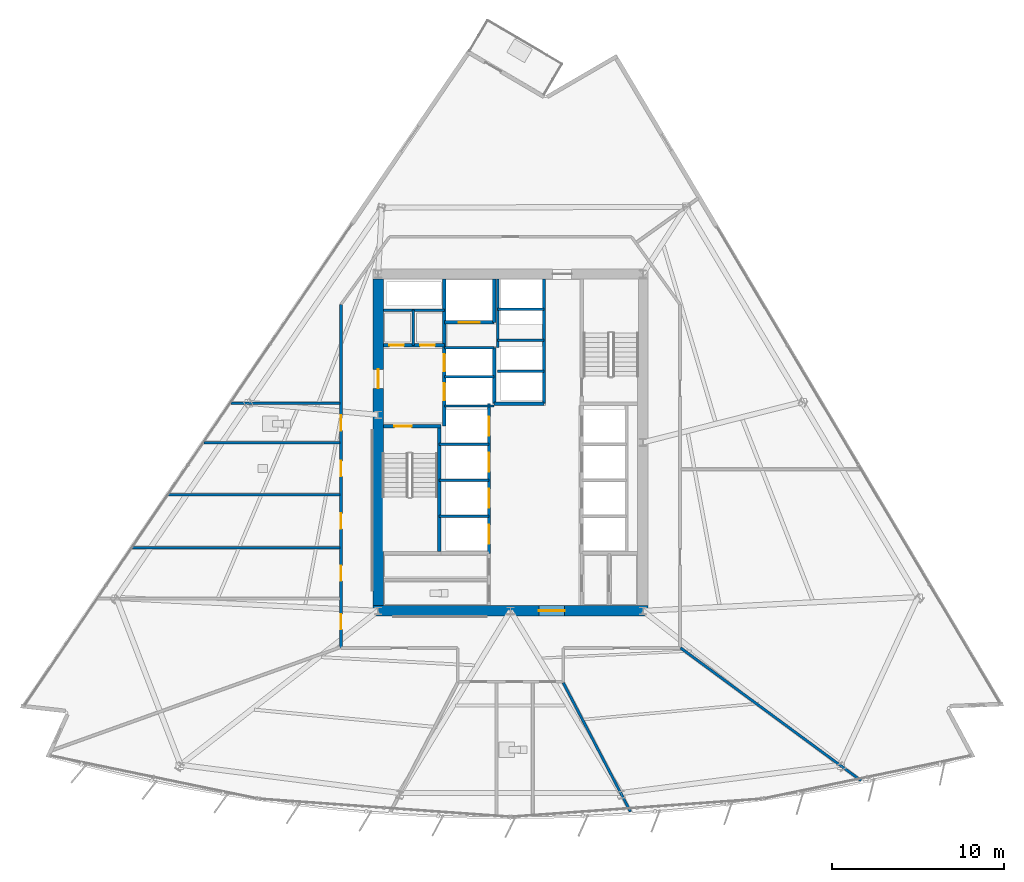
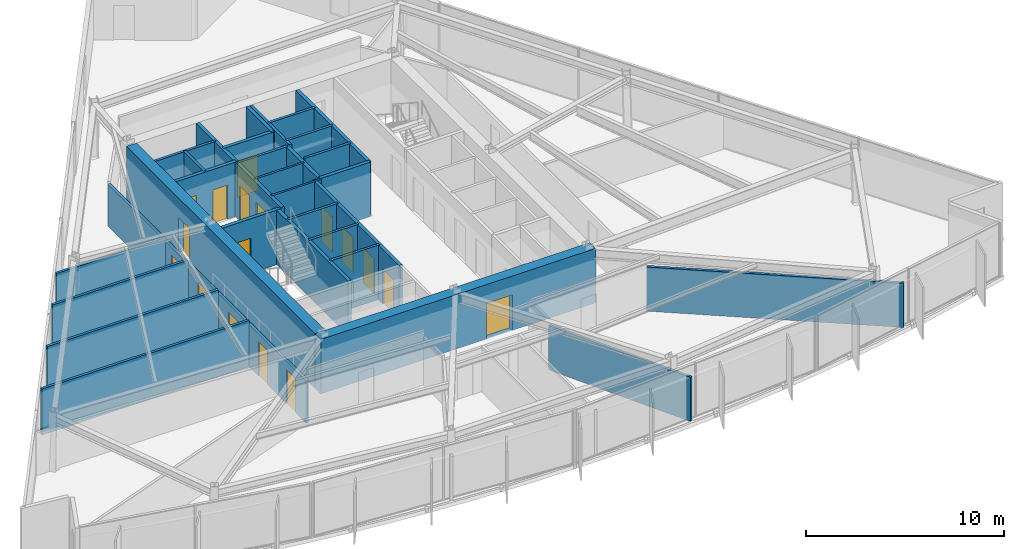
# One storey, part 8 of 15: 31 walls, 17 doors, 17 openings.
"""IFC4 building model written with IfcOpenShell, lengths in metres."""

from ifc_helpers import new_model, si_unit, direction, frame, frame_2d, origin, place, context, subcontext, project, spatial, rectangle, extrude, material, layer, layer_set, type_object, element, fill, save


model = new_model("IFC4")

# Units and contexts
model_context = context("Model", 3, precision=1e-05, world=origin(), true_north=direction((0.0, 1.0)))
body_context = subcontext(model_context, "Body", "Model", "MODEL_VIEW")
ifc_project = project(units=[si_unit("LENGTHUNIT", "METRE"), si_unit("AREAUNIT", "SQUARE_METRE"), si_unit("VOLUMEUNIT", "CUBIC_METRE"), si_unit("PLANEANGLEUNIT", "RADIAN"), si_unit("MASSUNIT", "GRAM", prefix="KILO")], contexts=[model_context])

# Site, building, storey
site_placement = place(None, origin())
site = spatial("IfcSite", under=ifc_project, at=site_placement, CompositionType="ELEMENT")
building_placement = place(site_placement, origin())
building = spatial("IfcBuilding", under=site, at=building_placement, Name="Savorim Split Tower", CompositionType="ELEMENT")
storey_placement = place(building_placement, frame((0.0, 0.0, 82.5)))
storey = spatial("IfcBuildingStorey", under=building, at=storey_placement, Name="L21", CompositionType="ELEMENT", Elevation=82.5)

# Wall, opening, door
ifc_material_1 = material(Name="Concrete C60/75", Category="concrete")
ifc_layer_1 = layer(ifc_material_1, 0.60009765625)
ifc_layer_set_1 = layer_set([ifc_layer_1], Name="WAL-COR-SH600")
wall_type_1 = type_object("IfcWallType", Name="WAL-COR-SH600", PredefinedType="SHEAR", material=ifc_layer_set_1)
wall_1_placement = place(storey_placement, frame((-8.0, -9.39990234375, 0.0), z_axis=(0.0, 0.0, 1.0), x_axis=(1.0, 0.0, 0.0)))
wall_1 = element("IfcWall", 1, at=wall_1_placement, inside=storey, type_object=wall_type_1, Name="L21 Offset Core South Shear Wall", PredefinedType="SHEAR", context=body_context, shape_type="SweptSolid", body=[
    extrude(rectangle(XDim=16.0, YDim=0.60009765625, at=frame_2d((8.0, 0.0))), origin(), (0.0, 0.0, 1.0), 3.35009765625),
])
opening_1_placement = place(wall_1_placement, frame((9.64990234375, 0.0, 0.0)))
opening_1 = element("IfcOpeningElement", 2, at=opening_1_placement, cuts=wall_1, Name="Opening DI-02", PredefinedType="OPENING", context=body_context, shape_type="SweptSolid", body=[
    extrude(rectangle(XDim=1.5, YDim=2.199951171875, at=frame_2d((0.75, 1.10009765625))), frame((0.0, 0.31005859375, 0.0), z_axis=(0.0, -1.0, 0.0), x_axis=(1.0, 0.0, 0.0)), (0.0, 0.0, 1.0), 0.6201171875),
])
ifc_material_2 = material(Name="Timber Fire Door Leaf", Category="wood")
door_type_1 = type_object("IfcDoorType", Name="DOR-DBL-1500", OperationType="NOTDEFINED", PredefinedType="DOOR", material=ifc_material_2)
door_1_placement = place(opening_1_placement, origin())
door_1 = element("IfcDoor", 3, at=door_1_placement, inside=storey, type_object=door_type_1, Name="DOR-L21-COR-LLOB - L21 Lift Lobby Main Rated Door", OperationType="DOUBLE_DOOR_SINGLE_SWING", OverallHeight=2.199951171875, OverallWidth=1.5, PredefinedType="DOOR", context=body_context, shape_type="SweptSolid", body=[
    extrude(rectangle(XDim=1.5, YDim=2.199951171875, at=frame_2d((0.75, 1.10009765625))), frame((0.0, 0.02490234375, 0.0), z_axis=(0.0, -1.0, 0.0), x_axis=(1.0, 0.0, 0.0)), (0.0, 0.0, 1.0), 0.050048828125),
])
fill(opening_1, door_1)

wall_2_placement = place(storey_placement, frame((-7.699951171875, -9.10009765625, 0.0), z_axis=(0.0, 0.0, 1.0), x_axis=(0.0, 1.0, 0.0)))
wall_2 = element("IfcWall", 4, at=wall_2_placement, inside=storey, type_object=wall_type_1, Name="L21 Offset Core West Shear Wall", PredefinedType="SHEAR", context=body_context, shape_type="SweptSolid", body=[
    extrude(rectangle(XDim=19.0, YDim=0.60009765625, at=frame_2d((9.5, 0.0))), origin(), (0.0, 0.0, 1.0), 3.35009765625),
])
opening_2_placement = place(wall_2_placement, frame((12.64990234375, 0.0, 0.0)))
opening_2 = element("IfcOpeningElement", 5, at=opening_2_placement, cuts=wall_2, Name="Opening DI-03", PredefinedType="OPENING", context=body_context, shape_type="SweptSolid", body=[
    extrude(rectangle(XDim=1.10009765625, YDim=2.14990234375, at=frame_2d((0.550048828125, 1.074951171875))), frame((0.0, 0.31005859375, 0.0), z_axis=(0.0, -1.0, 0.0), x_axis=(1.0, 0.0, 0.0)), (0.0, 0.0, 1.0), 0.6201171875),
])
door_type_2 = type_object("IfcDoorType", Name="DOR-FIR-1100", OperationType="NOTDEFINED", PredefinedType="DOOR", material=ifc_material_2)
door_2_placement = place(opening_2_placement, origin())
door_2 = element("IfcDoor", 6, at=door_2_placement, inside=storey, type_object=door_type_2, Name="DOR-L21-COR-FFLOB - L21 Firefighting Lobby Corridor Door", OperationType="SINGLE_SWING_LEFT", OverallHeight=2.14990234375, OverallWidth=1.10009765625, PredefinedType="DOOR", context=body_context, shape_type="SweptSolid", body=[
    extrude(rectangle(XDim=1.10009765625, YDim=2.14990234375, at=frame_2d((0.550048828125, 1.074951171875))), frame((0.0, 0.02490234375, 0.0), z_axis=(0.0, -1.0, 0.0), x_axis=(1.0, 0.0, 0.0)), (0.0, 0.0, 1.0), 0.050048828125),
])
fill(opening_2, door_2)

ifc_material_3 = material(Name="Concrete C50/60", Category="concrete")
ifc_layer_2 = layer(ifc_material_3, 0.199951171875)
ifc_layer_set_2 = layer_set([ifc_layer_2], Name="WAL-INT-RC200")
wall_type_2 = type_object("IfcWallType", Name="WAL-INT-RC200", PredefinedType="SOLIDWALL", material=ifc_layer_set_2)
wall_3_placement = place(storey_placement, frame((-7.39990234375, 1.35009765625, 0.0), z_axis=(0.0, 0.0, 1.0), x_axis=(1.0, 0.0, 0.0)))
wall_3 = element("IfcWall", 7, at=wall_3_placement, inside=storey, type_object=wall_type_2, Name="L21 Structural Shaft Wall W-L21-CR01", PredefinedType="SOLIDWALL", context=body_context, shape_type="SweptSolid", body=[
    extrude(rectangle(XDim=3.349853515625, YDim=0.199951171875, at=frame_2d((1.6748046875, 0.0))), origin(), (0.0, 0.0, 1.0), 3.35009765625),
])
opening_3_placement = place(wall_3_placement, frame((0.64990234375, 0.0, 0.0)))
opening_3 = element("IfcOpeningElement", 8, at=opening_3_placement, cuts=wall_3, Name="Opening DI-04", PredefinedType="OPENING", context=body_context, shape_type="SweptSolid", body=[
    extrude(rectangle(XDim=1.0, YDim=2.14990234375, at=frame_2d((0.5, 1.074951171875))), frame((0.0, 0.10986328125, 0.0), z_axis=(0.0, -1.0, 0.0), x_axis=(1.0, 0.0, 0.0)), (0.0, 0.0, 1.0), 0.219970703125),
])
door_type_3 = type_object("IfcDoorType", Name="DOR-FIR-1000", OperationType="NOTDEFINED", PredefinedType="DOOR", material=ifc_material_2)
door_3_placement = place(opening_3_placement, origin())
door_3 = element("IfcDoor", 9, at=door_3_placement, inside=storey, type_object=door_type_3, Name="DR-L21-ST1 - L21 Stair ST-1 Enclosure Door", OperationType="SINGLE_SWING_LEFT", OverallHeight=2.14990234375, OverallWidth=1.0, PredefinedType="DOOR", context=body_context, shape_type="SweptSolid", body=[
    extrude(rectangle(XDim=1.0, YDim=2.14990234375, at=frame_2d((0.5, 1.074951171875))), frame((0.0, 0.02490234375, 0.0), z_axis=(0.0, -1.0, 0.0), x_axis=(1.0, 0.0, 0.0)), (0.0, 0.0, 1.0), 0.050048828125),
])
fill(opening_3, door_3)

# Wall
wall_4_placement = place(storey_placement, frame((-4.14990234375, -5.949951171875, 0.0), z_axis=(0.0, 0.0, 1.0), x_axis=(0.0, 1.0, 0.0)))
element("IfcWall", 10, at=wall_4_placement, inside=storey, type_object=wall_type_2, Name="L21 Structural Shaft Wall W-L21-CR02", PredefinedType="SOLIDWALL", context=body_context, shape_type="SweptSolid", body=[
    extrude(rectangle(XDim=7.199951171875, YDim=0.199951171875, at=frame_2d((3.60009765625, 0.0))), origin(), (0.0, 0.0, 1.0), 3.35009765625),
])

# Wall, openings, doors
wall_5_placement = place(storey_placement, frame((-3.85009765625, 1.35009765625, 0.0), z_axis=(0.0, 0.0, 1.0), x_axis=(0.0, 1.0, 0.0)))
wall_5 = element("IfcWall", 11, at=wall_5_placement, inside=storey, type_object=wall_type_2, Name="L21 Partition W-L21-CR03", PredefinedType="SOLIDWALL", context=body_context, shape_type="SweptSolid", body=[
    extrude(rectangle(XDim=8.544921875, YDim=0.199951171875, at=frame_2d((4.2724609375, 0.0))), origin(), (0.0, 0.0, 1.0), 3.35009765625),
])
opening_4_placement = place(wall_5_placement, frame((1.5, 0.0, 0.0)))
opening_4 = element("IfcOpeningElement", 12, at=opening_4_placement, cuts=wall_5, Name="Opening LD-FFL", PredefinedType="OPENING", context=body_context, shape_type="SweptSolid", body=[
    extrude(rectangle(XDim=1.0, YDim=2.14990234375, at=frame_2d((0.5, 1.074951171875))), frame((0.0, 0.10986328125, 0.0), z_axis=(0.0, -1.0, 0.0), x_axis=(1.0, 0.0, 0.0)), (0.0, 0.0, 1.0), 0.219970703125),
])
opening_5_placement = place(wall_5_placement, frame((3.179931640625, 0.0, 0.0)))
opening_5 = element("IfcOpeningElement", 13, at=opening_5_placement, cuts=wall_5, Name="Opening LD-FFL", PredefinedType="OPENING", context=body_context, shape_type="SweptSolid", body=[
    extrude(rectangle(XDim=1.0, YDim=2.14990234375, at=frame_2d((0.5, 1.074951171875))), frame((0.0, 0.10986328125, 0.0), z_axis=(0.0, -1.0, 0.0), x_axis=(1.0, 0.0, 0.0)), (0.0, 0.0, 1.0), 0.219970703125),
])
ifc_material_4 = material(Name="Charcoal Anodised Aluminium", Category="aluminium")
door_type_4 = type_object("IfcDoorType", Name="DOR-SLD-LD1000", OperationType="NOTDEFINED", PredefinedType="DOOR", material=ifc_material_4)
door_4_placement = place(opening_4_placement, origin())
door_4 = element("IfcDoor", 14, at=door_4_placement, inside=storey, type_object=door_type_4, Name="DR-L21-LD-FFL1 - L21 Firefighting Lift FFL-1 Sliding Landing Door", OperationType="DOUBLE_DOOR_SLIDING", OverallHeight=2.14990234375, OverallWidth=1.0, PredefinedType="DOOR", context=body_context, shape_type="SweptSolid", body=[
    extrude(rectangle(XDim=1.0, YDim=2.14990234375, at=frame_2d((0.5, 1.074951171875))), frame((0.0, 0.02490234375, 0.0), z_axis=(0.0, -1.0, 0.0), x_axis=(1.0, 0.0, 0.0)), (0.0, 0.0, 1.0), 0.050048828125),
])
fill(opening_4, door_4)
door_5_placement = place(opening_5_placement, origin())
door_5 = element("IfcDoor", 15, at=door_5_placement, inside=storey, type_object=door_type_4, Name="DR-L21-LD-FFL2 - L21 Firefighting Lift FFL-2 Sliding Landing Door", OperationType="DOUBLE_DOOR_SLIDING", OverallHeight=2.14990234375, OverallWidth=1.0, PredefinedType="DOOR", context=body_context, shape_type="SweptSolid", body=[
    extrude(rectangle(XDim=1.0, YDim=2.14990234375, at=frame_2d((0.5, 1.074951171875))), frame((0.0, 0.02490234375, 0.0), z_axis=(0.0, -1.0, 0.0), x_axis=(1.0, 0.0, 0.0)), (0.0, 0.0, 1.0), 0.050048828125),
])
fill(opening_5, door_5)

wall_6_placement = place(storey_placement, frame((-7.39501953125, 6.050048828125, 0.0), z_axis=(0.0, 0.0, 1.0), x_axis=(1.0, 0.0, 0.0)))
wall_6 = element("IfcWall", 16, at=wall_6_placement, inside=storey, type_object=wall_type_2, Name="L21 Partition W-L21-CR04", PredefinedType="SOLIDWALL", context=body_context, shape_type="SweptSolid", body=[
    extrude(rectangle(XDim=3.544921875, YDim=0.199951171875, at=frame_2d((1.7724609375, 0.0))), origin(), (0.0, 0.0, 1.0), 3.35009765625),
])
opening_6_placement = place(wall_6_placement, frame((0.344970703125, 0.0, 0.0)))
opening_6 = element("IfcOpeningElement", 17, at=opening_6_placement, cuts=wall_6, Name="Opening DI-12", PredefinedType="OPENING", context=body_context, shape_type="SweptSolid", body=[
    extrude(rectangle(XDim=0.85009765625, YDim=2.10009765625, at=frame_2d((0.425048828125, 1.050048828125))), frame((0.0, 0.10986328125, 0.0), z_axis=(0.0, -1.0, 0.0), x_axis=(1.0, 0.0, 0.0)), (0.0, 0.0, 1.0), 0.219970703125),
])
opening_7_placement = place(wall_6_placement, frame((2.14501953125, 0.0, 0.0)))
opening_7 = element("IfcOpeningElement", 18, at=opening_7_placement, cuts=wall_6, Name="Opening DI-12", PredefinedType="OPENING", context=body_context, shape_type="SweptSolid", body=[
    extrude(rectangle(XDim=0.85009765625, YDim=2.10009765625, at=frame_2d((0.425048828125, 1.050048828125))), frame((0.0, 0.10986328125, 0.0), z_axis=(0.0, -1.0, 0.0), x_axis=(1.0, 0.0, 0.0)), (0.0, 0.0, 1.0), 0.219970703125),
])
ifc_material_5 = material(Name="Galvanised Painted Steel Balustrade", Category="steel")
door_type_5 = type_object("IfcDoorType", Name="DOR-RIS-850", OperationType="NOTDEFINED", PredefinedType="DOOR", material=ifc_material_5)
door_6_placement = place(opening_6_placement, origin())
door_6 = element("IfcDoor", 19, at=door_6_placement, inside=storey, type_object=door_type_5, Name="DR-L21-ELR - L21 Electrical Riser Access Door", OperationType="SINGLE_SWING_RIGHT", OverallHeight=2.10009765625, OverallWidth=0.85009765625, PredefinedType="DOOR", context=body_context, shape_type="SweptSolid", body=[
    extrude(rectangle(XDim=0.85009765625, YDim=2.10009765625, at=frame_2d((0.425048828125, 1.050048828125))), frame((0.0, 0.02490234375, 0.0), z_axis=(0.0, -1.0, 0.0), x_axis=(1.0, 0.0, 0.0)), (0.0, 0.0, 1.0), 0.050048828125),
])
fill(opening_6, door_6)
door_7_placement = place(opening_7_placement, origin())
door_7 = element("IfcDoor", 20, at=door_7_placement, inside=storey, type_object=door_type_5, Name="DR-L21-TLR - L21 Telecom Riser Access Door", OperationType="SINGLE_SWING_LEFT", OverallHeight=2.10009765625, OverallWidth=0.85009765625, PredefinedType="DOOR", context=body_context, shape_type="SweptSolid", body=[
    extrude(rectangle(XDim=0.85009765625, YDim=2.10009765625, at=frame_2d((0.425048828125, 1.050048828125))), frame((0.0, 0.02490234375, 0.0), z_axis=(0.0, -1.0, 0.0), x_axis=(1.0, 0.0, 0.0)), (0.0, 0.0, 1.0), 0.050048828125),
])
fill(opening_7, door_7)

# Wall
wall_7_placement = place(storey_placement, frame((-0.949951171875, 2.64990234375, 0.0), z_axis=(0.0, 0.0, 1.0), x_axis=(0.0, 1.0, 0.0)))
element("IfcWall", 21, at=wall_7_placement, inside=storey, type_object=wall_type_2, Name="L21 Partition W-L21-FFLW", PredefinedType="SOLIDWALL", context=body_context, shape_type="SweptSolid", body=[
    extrude(rectangle(XDim=3.27001953125, YDim=0.199951171875, at=frame_2d((1.635009765625, 0.0))), origin(), (0.0, 0.0, 1.0), 3.35009765625),
])

# Wall, opening, door
wall_8_placement = place(storey_placement, frame((-3.85009765625, 7.3798828125, 0.0), z_axis=(0.0, 0.0, 1.0), x_axis=(1.0, 0.0, 0.0)))
wall_8 = element("IfcWall", 22, at=wall_8_placement, inside=storey, type_object=wall_type_2, Name="L21 Partition W-L21-SVLS", PredefinedType="SOLIDWALL", context=body_context, shape_type="SweptSolid", body=[
    extrude(rectangle(XDim=2.900146484375, YDim=0.199951171875, at=frame_2d((1.4501953125, 0.0))), origin(), (0.0, 0.0, 1.0), 3.35009765625),
])
opening_8_placement = place(wall_8_placement, frame((0.85009765625, 0.0, 0.0)))
opening_8 = element("IfcOpeningElement", 23, at=opening_8_placement, cuts=wall_8, Name="Opening LD-SV", PredefinedType="OPENING", context=body_context, shape_type="SweptSolid", body=[
    extrude(rectangle(XDim=1.199951171875, YDim=2.199951171875, at=frame_2d((0.60009765625, 1.10009765625))), frame((0.0, 0.10986328125, 0.0), z_axis=(0.0, -1.0, 0.0), x_axis=(1.0, 0.0, 0.0)), (0.0, 0.0, 1.0), 0.219970703125),
])
door_type_6 = type_object("IfcDoorType", Name="DOR-SLD-SV1200", OperationType="NOTDEFINED", PredefinedType="DOOR", material=ifc_material_4)
door_8_placement = place(opening_8_placement, origin())
door_8 = element("IfcDoor", 24, at=door_8_placement, inside=storey, type_object=door_type_6, Name="DR-L21-LD-SVL1 - L21 Service Lift SVL-1 Sliding Landing Door", OperationType="DOUBLE_DOOR_SLIDING", OverallHeight=2.199951171875, OverallWidth=1.199951171875, PredefinedType="DOOR", context=body_context, shape_type="SweptSolid", body=[
    extrude(rectangle(XDim=1.199951171875, YDim=2.199951171875, at=frame_2d((0.60009765625, 1.10009765625))), frame((0.0, 0.02490234375, 0.0), z_axis=(0.0, -1.0, 0.0), x_axis=(1.0, 0.0, 0.0)), (0.0, 0.0, 1.0), 0.050048828125),
])
fill(opening_8, door_8)

# Wall
wall_9_placement = place(storey_placement, frame((-0.949951171875, 7.3798828125, 0.0), z_axis=(0.0, 0.0, 1.0), x_axis=(0.0, 1.0, 0.0)))
element("IfcWall", 25, at=wall_9_placement, inside=storey, type_object=wall_type_2, Name="L21 Partition W-L21-SVLE", PredefinedType="SOLIDWALL", context=body_context, shape_type="SweptSolid", body=[
    extrude(rectangle(XDim=2.51513671875, YDim=0.199951171875, at=frame_2d((1.257568359375, 0.0))), origin(), (0.0, 0.0, 1.0), 3.35009765625),
])

# Wall, openings, doors
wall_10_placement = place(storey_placement, frame((-1.25, -6.050048828125, 0.0), z_axis=(0.0, 0.0, 1.0), x_axis=(0.0, 1.0, 0.0)))
wall_10 = element("IfcWall", 26, at=wall_10_placement, inside=storey, type_object=wall_type_2, Name="L21 Partition W-L21-B2FRONT", PredefinedType="SOLIDWALL", context=body_context, shape_type="SweptSolid", body=[
    extrude(rectangle(XDim=8.699951171875, YDim=0.199951171875, at=frame_2d((4.35009765625, 0.0))), origin(), (0.0, 0.0, 1.0), 3.35009765625),
])
opening_9_placement = place(wall_10_placement, frame((0.550048828125, 0.0, 0.0)))
opening_9 = element("IfcOpeningElement", 27, at=opening_9_placement, cuts=wall_10, Name="Opening LD-02", PredefinedType="OPENING", context=body_context, shape_type="SweptSolid", body=[
    extrude(rectangle(XDim=1.10009765625, YDim=2.14990234375, at=frame_2d((0.550048828125, 1.074951171875))), frame((0.0, 0.10986328125, 0.0), z_axis=(0.0, -1.0, 0.0), x_axis=(1.0, 0.0, 0.0)), (0.0, 0.0, 1.0), 0.219970703125),
])
opening_10_placement = place(wall_10_placement, frame((2.64990234375, 0.0, 0.0)))
opening_10 = element("IfcOpeningElement", 28, at=opening_10_placement, cuts=wall_10, Name="Opening LD-02", PredefinedType="OPENING", context=body_context, shape_type="SweptSolid", body=[
    extrude(rectangle(XDim=1.10009765625, YDim=2.14990234375, at=frame_2d((0.550048828125, 1.074951171875))), frame((0.0, 0.10986328125, 0.0), z_axis=(0.0, -1.0, 0.0), x_axis=(1.0, 0.0, 0.0)), (0.0, 0.0, 1.0), 0.219970703125),
])
opening_11_placement = place(wall_10_placement, frame((4.75, 0.0, 0.0)))
opening_11 = element("IfcOpeningElement", 29, at=opening_11_placement, cuts=wall_10, Name="Opening LD-02", PredefinedType="OPENING", context=body_context, shape_type="SweptSolid", body=[
    extrude(rectangle(XDim=1.10009765625, YDim=2.14990234375, at=frame_2d((0.550048828125, 1.074951171875))), frame((0.0, 0.10986328125, 0.0), z_axis=(0.0, -1.0, 0.0), x_axis=(1.0, 0.0, 0.0)), (0.0, 0.0, 1.0), 0.219970703125),
])
opening_12_placement = place(wall_10_placement, frame((6.85009765625, 0.0, 0.0)))
opening_12 = element("IfcOpeningElement", 30, at=opening_12_placement, cuts=wall_10, Name="Opening LD-02", PredefinedType="OPENING", context=body_context, shape_type="SweptSolid", body=[
    extrude(rectangle(XDim=1.10009765625, YDim=2.14990234375, at=frame_2d((0.550048828125, 1.074951171875))), frame((0.0, 0.10986328125, 0.0), z_axis=(0.0, -1.0, 0.0), x_axis=(1.0, 0.0, 0.0)), (0.0, 0.0, 1.0), 0.219970703125),
])
door_type_7 = type_object("IfcDoorType", Name="DOR-SLD-LDM1100", OperationType="NOTDEFINED", PredefinedType="DOOR", material=ifc_material_4)
door_9_placement = place(opening_9_placement, origin())
door_9 = element("IfcDoor", 31, at=door_9_placement, inside=storey, type_object=door_type_7, Name="DR-L21-LD-PLM1 - L21 Lift PL-M1 Sliding Landing Door", OperationType="DOUBLE_DOOR_SLIDING", OverallHeight=2.14990234375, OverallWidth=1.10009765625, PredefinedType="DOOR", context=body_context, shape_type="SweptSolid", body=[
    extrude(rectangle(XDim=1.10009765625, YDim=2.14990234375, at=frame_2d((0.550048828125, 1.074951171875))), frame((0.0, 0.02490234375, 0.0), z_axis=(0.0, -1.0, 0.0), x_axis=(1.0, 0.0, 0.0)), (0.0, 0.0, 1.0), 0.050048828125),
])
fill(opening_9, door_9)
door_10_placement = place(opening_10_placement, origin())
door_10 = element("IfcDoor", 32, at=door_10_placement, inside=storey, type_object=door_type_7, Name="DR-L21-LD-PLM2 - L21 Lift PL-M2 Sliding Landing Door", OperationType="DOUBLE_DOOR_SLIDING", OverallHeight=2.14990234375, OverallWidth=1.10009765625, PredefinedType="DOOR", context=body_context, shape_type="SweptSolid", body=[
    extrude(rectangle(XDim=1.10009765625, YDim=2.14990234375, at=frame_2d((0.550048828125, 1.074951171875))), frame((0.0, 0.02490234375, 0.0), z_axis=(0.0, -1.0, 0.0), x_axis=(1.0, 0.0, 0.0)), (0.0, 0.0, 1.0), 0.050048828125),
])
fill(opening_10, door_10)
door_11_placement = place(opening_11_placement, origin())
door_11 = element("IfcDoor", 33, at=door_11_placement, inside=storey, type_object=door_type_7, Name="DR-L21-LD-PLM3 - L21 Lift PL-M3 Sliding Landing Door", OperationType="DOUBLE_DOOR_SLIDING", OverallHeight=2.14990234375, OverallWidth=1.10009765625, PredefinedType="DOOR", context=body_context, shape_type="SweptSolid", body=[
    extrude(rectangle(XDim=1.10009765625, YDim=2.14990234375, at=frame_2d((0.550048828125, 1.074951171875))), frame((0.0, 0.02490234375, 0.0), z_axis=(0.0, -1.0, 0.0), x_axis=(1.0, 0.0, 0.0)), (0.0, 0.0, 1.0), 0.050048828125),
])
fill(opening_11, door_11)
door_12_placement = place(opening_12_placement, origin())
door_12 = element("IfcDoor", 34, at=door_12_placement, inside=storey, type_object=door_type_7, Name="DR-L21-LD-PLM4 - L21 Lift PL-M4 Sliding Landing Door", OperationType="DOUBLE_DOOR_SLIDING", OverallHeight=2.14990234375, OverallWidth=1.10009765625, PredefinedType="DOOR", context=body_context, shape_type="SweptSolid", body=[
    extrude(rectangle(XDim=1.10009765625, YDim=2.14990234375, at=frame_2d((0.550048828125, 1.074951171875))), frame((0.0, 0.02490234375, 0.0), z_axis=(0.0, -1.0, 0.0), x_axis=(1.0, 0.0, 0.0)), (0.0, 0.0, 1.0), 0.050048828125),
])
fill(opening_12, door_12)

# Walls
wall_11_placement = place(storey_placement, frame((1.949951171875, 2.64990234375, 0.0), z_axis=(0.0, 0.0, 1.0), x_axis=(0.0, 1.0, 0.0)))
element("IfcWall", 35, at=wall_11_placement, inside=storey, type_object=wall_type_2, Name="L21 Partition W-L21-B3FRONT", PredefinedType="SOLIDWALL", context=body_context, shape_type="SweptSolid", body=[
    extrude(rectangle(XDim=7.2451171875, YDim=0.199951171875, at=frame_2d((3.62255859375, 0.0))), origin(), (0.0, 0.0, 1.0), 3.35009765625),
])
wall_12_placement = place(storey_placement, frame((-0.949951171875, 2.64990234375, 0.0), z_axis=(0.0, 0.0, 1.0), x_axis=(1.0, 0.0, 0.0)))
element("IfcWall", 36, at=wall_12_placement, inside=storey, type_object=wall_type_2, Name="L21 Partition W-L21-B3SOUTH", PredefinedType="SOLIDWALL", context=body_context, shape_type="SweptSolid", body=[
    extrude(rectangle(XDim=2.89990234375, YDim=0.199951171875, at=frame_2d((1.449951171875, 0.0))), origin(), (0.0, 0.0, 1.0), 3.35009765625),
])
ifc_material_6 = material(Name="Acoustic Gypsum Partition Board")
ifc_layer_3 = layer(ifc_material_6, 0.1201171875)
ifc_layer_set_3 = layer_set([ifc_layer_3], Name="WAL-PAR-120")
wall_type_3 = type_object("IfcWallType", Name="WAL-PAR-120", PredefinedType="PARTITIONING", material=ifc_layer_set_3)
for number, where, z_axis, x_axis, name in (
    (37, (-3.85009765625, 2.52001953125, 0.0), (0.0, 0.0, 1.0), (1.0, 0.0, 0.0), "L21 Partition W-L21-FFLD0"),
    (38, (-3.85009765625, 4.219970703125, 0.0), (0.0, 0.0, 1.0), (1.0, 0.0, 0.0), "L21 Partition W-L21-FFLD1"),
):
    element("IfcWall", number, at=place(storey_placement, frame(where, z_axis=z_axis, x_axis=x_axis)), inside=storey, type_object=wall_type_3, Name=name, PredefinedType="PARTITIONING", context=body_context, shape_type="SweptSolid", body=[
        extrude(rectangle(XDim=2.900146484375, YDim=0.1201171875, at=frame_2d((1.4501953125, 0.0))), origin(), (0.0, 0.0, 1.0), 3.35009765625),
    ])
ifc_layer_4 = layer(ifc_material_6, 0.14990234375)
ifc_layer_set_4 = layer_set([ifc_layer_4], Name="WAL-PAR-150")
wall_type_4 = type_object("IfcWallType", Name="WAL-PAR-150", PredefinedType="PARTITIONING", material=ifc_layer_set_4)
wall_13_placement = place(storey_placement, frame((-7.39501953125, 8.10009765625, 0.0), z_axis=(0.0, 0.0, 1.0), x_axis=(1.0, 0.0, 0.0)))
element("IfcWall", 39, at=wall_13_placement, inside=storey, type_object=wall_type_4, Name="L21 Partition W-L21-CR05", PredefinedType="PARTITIONING", context=body_context, shape_type="SweptSolid", body=[
    extrude(rectangle(XDim=3.544921875, YDim=0.14990234375, at=frame_2d((1.7724609375, 0.0))), origin(), (0.0, 0.0, 1.0), 3.35009765625),
])
wall_14_placement = place(storey_placement, frame((-5.64990234375, 6.050048828125, 0.0), z_axis=(0.0, 0.0, 1.0), x_axis=(0.0, 1.0, 0.0)))
element("IfcWall", 40, at=wall_14_placement, inside=storey, type_object=wall_type_4, Name="L21 Partition W-L21-CR06", PredefinedType="PARTITIONING", context=body_context, shape_type="SweptSolid", body=[
    extrude(rectangle(XDim=2.050048828125, YDim=0.14990234375, at=frame_2d((1.02490234375, 0.0))), origin(), (0.0, 0.0, 1.0), 3.35009765625),
])
wall_15_placement = place(storey_placement, frame((-3.85009765625, 5.89990234375, 0.0), z_axis=(0.0, 0.0, 1.0), x_axis=(1.0, 0.0, 0.0)))
element("IfcWall", 41, at=wall_15_placement, inside=storey, type_object=wall_type_4, Name="L21 Partition W-L21-FFLD2", PredefinedType="PARTITIONING", context=body_context, shape_type="SweptSolid", body=[
    extrude(rectangle(XDim=2.900146484375, YDim=0.14990234375, at=frame_2d((1.4501953125, 0.0))), origin(), (0.0, 0.0, 1.0), 3.35009765625),
])
for number, where, z_axis, x_axis, name in (
    (42, (-4.14990234375, -3.89990234375, 0.0), (0.0, 0.0, 1.0), (1.0, 0.0, 0.0), "L21 Partition W-L21-B2DIV1"),
    (43, (-4.14990234375, -1.800048828125, 0.0), (0.0, 0.0, 1.0), (1.0, 0.0, 0.0), "L21 Partition W-L21-B2DIV2"),
    (44, (-4.14990234375, 0.300048828125, 0.0), (0.0, 0.0, 1.0), (1.0, 0.0, 0.0), "L21 Partition W-L21-B2DIV3"),
):
    element("IfcWall", number, at=place(storey_placement, frame(where, z_axis=z_axis, x_axis=x_axis)), inside=storey, type_object=wall_type_4, Name=name, PredefinedType="PARTITIONING", context=body_context, shape_type="SweptSolid", body=[
        extrude(rectangle(XDim=2.89990234375, YDim=0.14990234375, at=frame_2d((1.449951171875, 0.0))), origin(), (0.0, 0.0, 1.0), 3.35009765625),
    ])
wall_16_placement = place(storey_placement, frame((-0.75, 5.919921875, 0.0), z_axis=(0.0, 0.0, 1.0), x_axis=(0.0, 1.0, 0.0)))
element("IfcWall", 45, at=wall_16_placement, inside=storey, type_object=wall_type_4, Name="L21 Partition W-L21-B3WEST", PredefinedType="PARTITIONING", context=body_context, shape_type="SweptSolid", body=[
    extrude(rectangle(XDim=3.97509765625, YDim=0.14990234375, at=frame_2d((1.987548828125, 0.0))), origin(), (0.0, 0.0, 1.0), 3.35009765625),
])
for number, where, z_axis, x_axis, name in (
    (46, (-0.75, 4.550048828125, 0.0), (0.0, 0.0, 1.0), (1.0, 0.0, 0.0), "L21 Partition W-L21-B3DIV1"),
    (47, (-0.75, 6.35009765625, 0.0), (0.0, 0.0, 1.0), (1.0, 0.0, 0.0), "L21 Partition W-L21-B3DIV2"),
    (48, (-0.75, 8.14990234375, 0.0), (0.0, 0.0, 1.0), (1.0, 0.0, 0.0), "L21 Partition W-L21-B3DIV3"),
):
    element("IfcWall", number, at=place(storey_placement, frame(where, z_axis=z_axis, x_axis=x_axis)), inside=storey, type_object=wall_type_4, Name=name, PredefinedType="PARTITIONING", context=body_context, shape_type="SweptSolid", body=[
        extrude(rectangle(XDim=2.699951171875, YDim=0.14990234375, at=frame_2d((1.35009765625, 0.0))), origin(), (0.0, 0.0, 1.0), 3.35009765625),
    ])

# Wall, openings, doors
wall_17_placement = place(storey_placement, frame((-9.860107421875, -11.56005859375, 0.0), z_axis=(0.0, 0.0, 1.0), x_axis=(0.0, 1.0, 0.0)))
wall_17 = element("IfcWall", 49, at=wall_17_placement, inside=storey, type_object=wall_type_4, Name="L21 Partition W-L21-COR-01", PredefinedType="PARTITIONING", context=body_context, shape_type="SweptSolid", body=[
    extrude(rectangle(XDim=19.98583984375, YDim=0.14990234375, at=frame_2d((9.992919921875, 0.0))), origin(), (0.0, 0.0, 1.0), 2.60888671875),
])
opening_13_placement = place(wall_17_placement, frame((9.98828125, 0.0, 0.0)))
opening_13 = element("IfcOpeningElement", 50, at=opening_13_placement, cuts=wall_17, Name="Opening DI-06", PredefinedType="OPENING", context=body_context, shape_type="SweptSolid", body=[
    extrude(rectangle(XDim=0.89990234375, YDim=2.10009765625, at=frame_2d((0.449951171875, 1.050048828125))), frame((0.0, 0.0849609375, 0.0), z_axis=(0.0, -1.0, 0.0), x_axis=(1.0, 0.0, 0.0)), (0.0, 0.0, 1.0), 0.169921875),
])
opening_14_placement = place(wall_17_placement, frame((6.924560546875, 0.0, 0.0)))
opening_14 = element("IfcOpeningElement", 51, at=opening_14_placement, cuts=wall_17, Name="Opening DI-06", PredefinedType="OPENING", context=body_context, shape_type="SweptSolid", body=[
    extrude(rectangle(XDim=0.89990234375, YDim=2.10009765625, at=frame_2d((0.449951171875, 1.050048828125))), frame((0.0, 0.0849609375, 0.0), z_axis=(0.0, -1.0, 0.0), x_axis=(1.0, 0.0, 0.0)), (0.0, 0.0, 1.0), 0.169921875),
])
opening_15_placement = place(wall_17_placement, frame((3.8984375, 0.0, 0.0)))
opening_15 = element("IfcOpeningElement", 52, at=opening_15_placement, cuts=wall_17, Name="Opening DI-06", PredefinedType="OPENING", context=body_context, shape_type="SweptSolid", body=[
    extrude(rectangle(XDim=0.89990234375, YDim=2.10009765625, at=frame_2d((0.449951171875, 1.050048828125))), frame((0.0, 0.0849609375, 0.0), z_axis=(0.0, -1.0, 0.0), x_axis=(1.0, 0.0, 0.0)), (0.0, 0.0, 1.0), 0.169921875),
])
opening_16_placement = place(wall_17_placement, frame((1.07568359375, 0.0, 0.0)))
opening_16 = element("IfcOpeningElement", 53, at=opening_16_placement, cuts=wall_17, Name="Opening DI-06", PredefinedType="OPENING", context=body_context, shape_type="SweptSolid", body=[
    extrude(rectangle(XDim=0.89990234375, YDim=2.10009765625, at=frame_2d((0.449951171875, 1.050048828125))), frame((0.0, 0.0849609375, 0.0), z_axis=(0.0, -1.0, 0.0), x_axis=(1.0, 0.0, 0.0)), (0.0, 0.0, 1.0), 0.169921875),
])
opening_17_placement = place(wall_17_placement, frame((12.648681640625, 0.0, 0.0)))
opening_17 = element("IfcOpeningElement", 54, at=opening_17_placement, cuts=wall_17, Name="Opening DI-11", PredefinedType="OPENING", context=body_context, shape_type="SweptSolid", body=[
    extrude(rectangle(XDim=0.89990234375, YDim=2.10009765625, at=frame_2d((0.449951171875, 1.050048828125))), frame((0.0, 0.0849609375, 0.0), z_axis=(0.0, -1.0, 0.0), x_axis=(1.0, 0.0, 0.0)), (0.0, 0.0, 1.0), 0.169921875),
])
door_type_8 = type_object("IfcDoorType", Name="DOR-FIR-900", OperationType="NOTDEFINED", PredefinedType="DOOR", material=ifc_material_2)
door_13_placement = place(opening_13_placement, origin())
door_13 = element("IfcDoor", 55, at=door_13_placement, inside=storey, type_object=door_type_8, Name="DR-L21-RM01 - L21 Shared Kitchen Entry Door", OperationType="SINGLE_SWING_RIGHT", OverallHeight=2.10009765625, OverallWidth=0.89990234375, PredefinedType="DOOR", context=body_context, shape_type="SweptSolid", body=[
    extrude(rectangle(XDim=0.89990234375, YDim=2.10009765625, at=frame_2d((0.449951171875, 1.050048828125))), frame((0.0, 0.02490234375, 0.0), z_axis=(0.0, -1.0, 0.0), x_axis=(1.0, 0.0, 0.0)), (0.0, 0.0, 1.0), 0.050048828125),
])
fill(opening_13, door_13)
door_14_placement = place(opening_14_placement, origin())
door_14 = element("IfcDoor", 56, at=door_14_placement, inside=storey, type_object=door_type_8, Name="DR-L21-RM02 - L21 Co-Living Bedroom Entry Door", OperationType="SINGLE_SWING_LEFT", OverallHeight=2.10009765625, OverallWidth=0.89990234375, PredefinedType="DOOR", context=body_context, shape_type="SweptSolid", body=[
    extrude(rectangle(XDim=0.89990234375, YDim=2.10009765625, at=frame_2d((0.449951171875, 1.050048828125))), frame((0.0, 0.02490234375, 0.0), z_axis=(0.0, -1.0, 0.0), x_axis=(1.0, 0.0, 0.0)), (0.0, 0.0, 1.0), 0.050048828125),
])
fill(opening_14, door_14)
door_15_placement = place(opening_15_placement, origin())
door_15 = element("IfcDoor", 57, at=door_15_placement, inside=storey, type_object=door_type_8, Name="DR-L21-RM03 - L21 Quiet Study Room Entry Door", OperationType="SINGLE_SWING_RIGHT", OverallHeight=2.10009765625, OverallWidth=0.89990234375, PredefinedType="DOOR", context=body_context, shape_type="SweptSolid", body=[
    extrude(rectangle(XDim=0.89990234375, YDim=2.10009765625, at=frame_2d((0.449951171875, 1.050048828125))), frame((0.0, 0.02490234375, 0.0), z_axis=(0.0, -1.0, 0.0), x_axis=(1.0, 0.0, 0.0)), (0.0, 0.0, 1.0), 0.050048828125),
])
fill(opening_15, door_15)
door_16_placement = place(opening_16_placement, origin())
door_16 = element("IfcDoor", 58, at=door_16_placement, inside=storey, type_object=door_type_8, Name="DR-L21-RM04 - L21 Maker Workshop Entry Door", OperationType="SINGLE_SWING_LEFT", OverallHeight=2.10009765625, OverallWidth=0.89990234375, PredefinedType="DOOR", context=body_context, shape_type="SweptSolid", body=[
    extrude(rectangle(XDim=0.89990234375, YDim=2.10009765625, at=frame_2d((0.449951171875, 1.050048828125))), frame((0.0, 0.02490234375, 0.0), z_axis=(0.0, -1.0, 0.0), x_axis=(1.0, 0.0, 0.0)), (0.0, 0.0, 1.0), 0.050048828125),
])
fill(opening_16, door_16)
ifc_material_7 = material(Name="Oak Veneer Acoustic Door")
door_type_9 = type_object("IfcDoorType", Name="DOR-WC-900", OperationType="NOTDEFINED", PredefinedType="DOOR", material=ifc_material_7)
door_17_placement = place(opening_17_placement, origin())
door_17 = element("IfcDoor", 59, at=door_17_placement, inside=storey, type_object=door_type_9, Name="DR-L21-RM13 - L21 Shared Bathroom Entry Door", OperationType="SINGLE_SWING_RIGHT", OverallHeight=2.10009765625, OverallWidth=0.89990234375, PredefinedType="DOOR", context=body_context, shape_type="SweptSolid", body=[
    extrude(rectangle(XDim=0.89990234375, YDim=2.10009765625, at=frame_2d((0.449951171875, 1.050048828125))), frame((0.0, 0.02490234375, 0.0), z_axis=(0.0, -1.0, 0.0), x_axis=(1.0, 0.0, 0.0)), (0.0, 0.0, 1.0), 0.050048828125),
])
fill(opening_17, door_17)

# Walls
wall_18_placement = place(storey_placement, frame((3.06591796875, -13.5732421875, 0.0), z_axis=(0.0, 0.0, 1.0), x_axis=(0.461995798776, -0.886882112749, 0.0)))
element("IfcWall", 60, at=wall_18_placement, inside=storey, type_object=wall_type_4, Name="L21 Partition W-L21-PRAD03", PredefinedType="PARTITIONING", context=body_context, shape_type="SweptSolid", body=[
    extrude(rectangle(XDim=8.4736328125, YDim=0.14990234375, at=frame_2d((4.23681640625, 0.0))), origin(), (0.0, 0.0, 1.0), 2.72509765625),
])
wall_19_placement = place(storey_placement, frame((9.89599609375, -11.5576171875, 0.0), z_axis=(0.0, 0.0, 1.0), x_axis=(0.805759814493, -0.592242451492, 0.0)))
element("IfcWall", 61, at=wall_19_placement, inside=storey, type_object=wall_type_4, Name="L21 Partition W-L21-PRAD04", PredefinedType="PARTITIONING", context=body_context, shape_type="SweptSolid", body=[
    extrude(rectangle(XDim=13.038330078125, YDim=0.14990234375, at=frame_2d((6.51904296875, 0.0))), origin(), (0.0, 0.0, 1.0), 2.72509765625),
])
wall_20_placement = place(storey_placement, frame((-9.919921875, 2.686279296875, 0.0), z_axis=(0.0, 0.0, 1.0), x_axis=(-1.0, 0.0, 0.0)))
element("IfcWall", 62, at=wall_20_placement, inside=storey, type_object=wall_type_4, Name="L21 Partition W-L21-PRAD09", PredefinedType="PARTITIONING", context=body_context, shape_type="SweptSolid", body=[
    extrude(rectangle(XDim=6.345458984375, YDim=0.14990234375, at=frame_2d((3.1728515625, 0.0))), origin(), (0.0, 0.0, 1.0), 2.8349609375),
])
wall_21_placement = place(storey_placement, frame((-9.919921875, -2.634765625, 0.0), z_axis=(0.0, 0.0, 1.0), x_axis=(-1.0, 0.0, 0.0)))
element("IfcWall", 63, at=wall_21_placement, inside=storey, type_object=wall_type_4, Name="L21 Partition W-L21-SUB01", PredefinedType="PARTITIONING", context=body_context, shape_type="SweptSolid", body=[
    extrude(rectangle(XDim=9.96533203125, YDim=0.14990234375, at=frame_2d((4.982666015625, 0.0))), origin(), (0.0, 0.0, 1.0), 2.8349609375),
])
wall_22_placement = place(storey_placement, frame((-9.919921875, 0.391357421875, 0.0), z_axis=(0.0, 0.0, 1.0), x_axis=(-1.0, 0.0, 0.0)))
element("IfcWall", 64, at=wall_22_placement, inside=storey, type_object=wall_type_4, Name="L21 Partition W-L21-SUB03", PredefinedType="PARTITIONING", context=body_context, shape_type="SweptSolid", body=[
    extrude(rectangle(XDim=7.90673828125, YDim=0.14990234375, at=frame_2d((3.953369140625, 0.0))), origin(), (0.0, 0.0, 1.0), 2.8349609375),
])
wall_23_placement = place(storey_placement, frame((-9.919921875, -5.736083984375, 0.0), z_axis=(0.0, 0.0, 1.0), x_axis=(-1.0, 0.0, 0.0)))
element("IfcWall", 65, at=wall_23_placement, inside=storey, type_object=wall_type_4, Name="L21 Partition W-L21-SUB04", PredefinedType="PARTITIONING", context=body_context, shape_type="SweptSolid", body=[
    extrude(rectangle(XDim=12.0751953125, YDim=0.14990234375, at=frame_2d((6.03759765625, 0.0))), origin(), (0.0, 0.0, 1.0), 2.8349609375),
])

save(model, "model.ifc")
